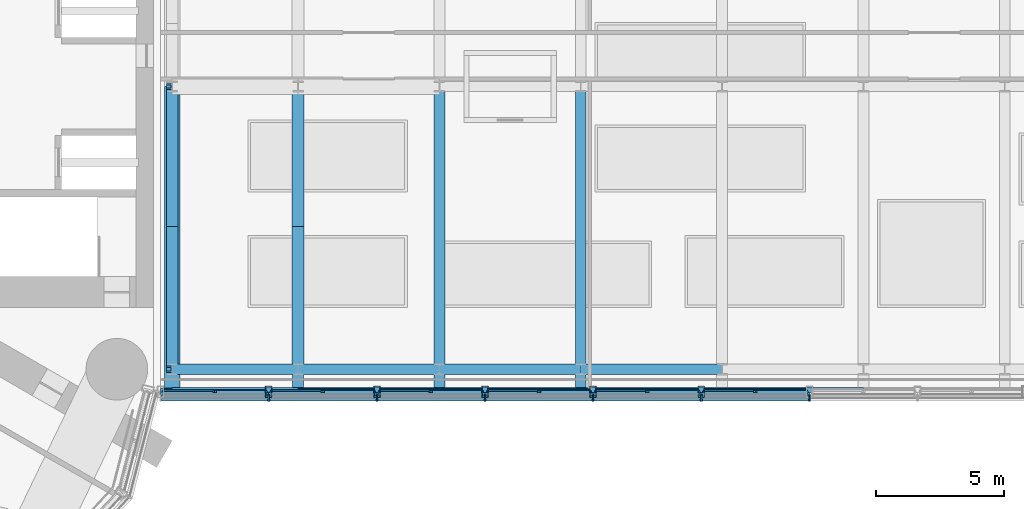
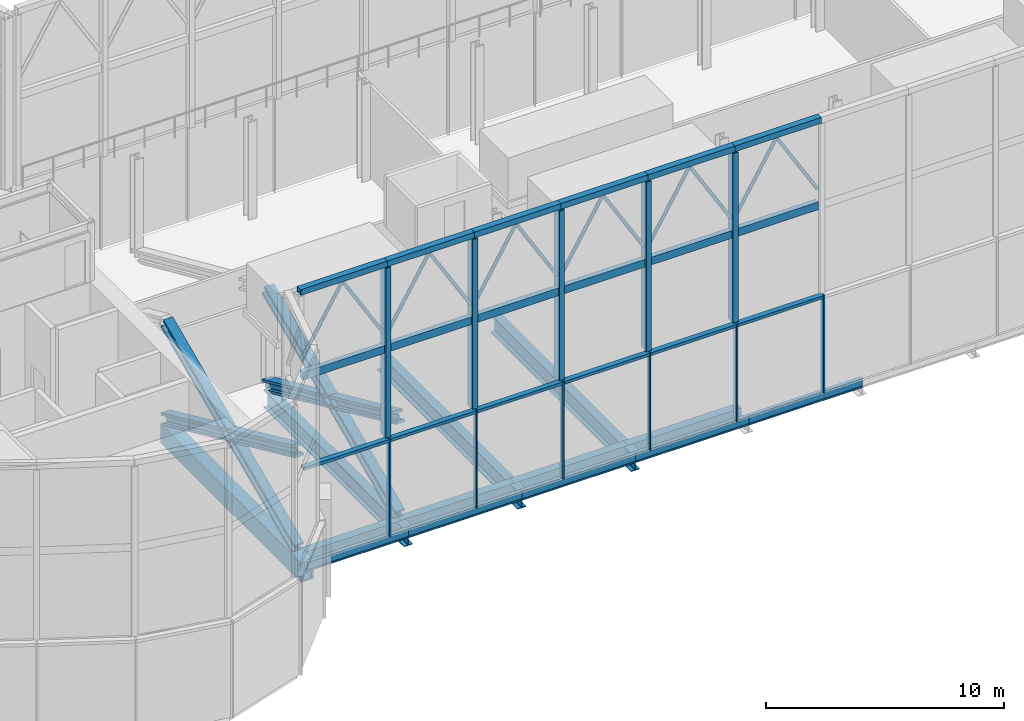
# One storey, part 10 of 33: 45 members, 13 beams, 2 elements without a shape of their own.
"""IFC4 building model written with IfcOpenShell, lengths in metres."""

from ifc_helpers import new_model, si_unit, direction, frame, origin, origin_2d, place, context, subcontext, project, spatial, rectangle, hollow_rectangle, hollow_circle, i_section, extrude, material, material_profile, profile_set, type_object, element, aggregate, save


model = new_model("IFC4")

# Units and contexts
model_context = context("Model", 3, precision=1e-05, world=origin(), true_north=direction((0.0, 1.0)))
body_context = subcontext(model_context, "Body", "Model", "MODEL_VIEW")
ifc_project = project(units=[si_unit("LENGTHUNIT", "METRE"), si_unit("AREAUNIT", "SQUARE_METRE"), si_unit("VOLUMEUNIT", "CUBIC_METRE"), si_unit("PLANEANGLEUNIT", "RADIAN"), si_unit("MASSUNIT", "GRAM", prefix="KILO")], contexts=[model_context])

# Site, building, storey
site_placement = place(None, origin())
site = spatial("IfcSite", under=ifc_project, at=site_placement, CompositionType="ELEMENT")
building_placement = place(site_placement, origin())
building = spatial("IfcBuilding", under=site, at=building_placement, Name="Lancet Gate Hotel", CompositionType="ELEMENT")
storey_placement = place(building_placement, frame((0.0, 0.0, 268.300048828125)))
storey = spatial("IfcBuildingStorey", under=building, at=storey_placement, Name="L70", CompositionType="ELEMENT", Elevation=268.300048828125)

# Curtain wall, members
ifc_material_1 = material(Name="Aluminium curtain wall", Category="aluminium")
curtain_wall_type_1 = type_object("IfcCurtainWallType", Name="Lantern crown glazing", PredefinedType="USERDEFINED", material=ifc_material_1)
curtain_wall_1_placement = place(storey_placement, origin())
curtain_wall_1 = element("IfcCurtainWall", 1, at=curtain_wall_1_placement, inside=storey, type_object=curtain_wall_type_1, Name="Bridge block L70 curtain wall S", ObjectType="LANTERN GLAZING", PredefinedType="USERDEFINED")
ifc_material_2 = material(Name="Aluminium mullion", Category="aluminium")
ifc_material_profile_1 = material_profile(ifc_material_2, rectangle(XDim=0.06494140625, YDim=0.25, at=origin_2d()), Name="MULLION 65x250")
ifc_profile_set_1 = profile_set([ifc_material_profile_1], Name="Aluminium mullion")
member_type_1 = type_object("IfcMemberType", Name="Aluminium mullion 65x250", PredefinedType="MULLION", material=ifc_profile_set_1)
member_1_placement = place(storey_placement, frame((-23.142333984375, -12.1201171875, 0.0), z_axis=(0.0, 0.0, 1.0), x_axis=(1.0, 0.0, 0.0)))
member_1 = element("IfcMember", 2, at=member_1_placement, type_object=member_type_1, Name="Bridge block L70 curtain wall S mullion 2", PredefinedType="MULLION", context=body_context, shape_type="SweptSolid", body=[
    extrude(rectangle(XDim=0.06494140625, YDim=0.25, at=origin_2d()), origin(), (0.0, 0.0, 1.0), 5.0),
])
member_2_placement = place(storey_placement, frame((-18.9345703125, -12.1201171875, 0.0), z_axis=(0.0, 0.0, 1.0), x_axis=(1.0, 0.0, 0.0)))
member_2 = element("IfcMember", 3, at=member_2_placement, type_object=member_type_1, Name="Bridge block L70 curtain wall S mullion 3", PredefinedType="MULLION", context=body_context, shape_type="SweptSolid", body=[
    extrude(rectangle(XDim=0.06494140625, YDim=0.25, at=origin_2d()), origin(), (0.0, 0.0, 1.0), 5.0),
])
member_3_placement = place(storey_placement, frame((-14.726806640625, -12.1201171875, 0.0), z_axis=(0.0, 0.0, 1.0), x_axis=(1.0, 0.0, 0.0)))
member_3 = element("IfcMember", 4, at=member_3_placement, type_object=member_type_1, Name="Bridge block L70 curtain wall S mullion 4", PredefinedType="MULLION", context=body_context, shape_type="SweptSolid", body=[
    extrude(rectangle(XDim=0.06494140625, YDim=0.25, at=origin_2d()), origin(), (0.0, 0.0, 1.0), 5.0),
])
member_4_placement = place(storey_placement, frame((-10.519287109375, -12.1201171875, 0.0), z_axis=(0.0, 0.0, 1.0), x_axis=(1.0, 0.0, 0.0)))
member_4 = element("IfcMember", 5, at=member_4_placement, type_object=member_type_1, Name="Bridge block L70 curtain wall S mullion 5", PredefinedType="MULLION", context=body_context, shape_type="SweptSolid", body=[
    extrude(rectangle(XDim=0.06494140625, YDim=0.25, at=origin_2d()), origin(), (0.0, 0.0, 1.0), 5.0),
])
member_5_placement = place(storey_placement, frame((-6.3115234375, -12.1201171875, 0.0), z_axis=(0.0, 0.0, 1.0), x_axis=(1.0, 0.0, 0.0)))
member_5 = element("IfcMember", 6, at=member_5_placement, type_object=member_type_1, Name="Bridge block L70 curtain wall S mullion 6", PredefinedType="MULLION", context=body_context, shape_type="SweptSolid", body=[
    extrude(rectangle(XDim=0.06494140625, YDim=0.25, at=origin_2d()), origin(), (0.0, 0.0, 1.0), 5.0),
])
member_6_placement = place(storey_placement, frame((-2.103759765625, -12.1201171875, 0.0), z_axis=(0.0, 0.0, 1.0), x_axis=(1.0, 0.0, 0.0)))
member_6 = element("IfcMember", 7, at=member_6_placement, type_object=member_type_1, Name="Bridge block L70 curtain wall S mullion 7", PredefinedType="MULLION", context=body_context, shape_type="SweptSolid", body=[
    extrude(rectangle(XDim=0.06494140625, YDim=0.25, at=origin_2d()), origin(), (0.0, 0.0, 1.0), 5.0),
])
ifc_material_3 = material(Name="Aluminium transom", Category="aluminium")
ifc_material_profile_2 = material_profile(ifc_material_3, rectangle(XDim=0.25, YDim=0.14990234375, at=origin_2d()), Name="TRANSOM 250x150")
ifc_profile_set_2 = profile_set([ifc_material_profile_2], Name="Aluminium transom")
member_type_2 = type_object("IfcMemberType", Name="Aluminium transom 250x150", PredefinedType="USERDEFINED", material=ifc_profile_set_2)
member_7_placement = place(storey_placement, frame((-27.3173828125, -12.1201171875, 4.925048828125), z_axis=(1.0, 0.0, 0.0), x_axis=(0.0, 1.0, 0.0)))
member_7 = element("IfcMember", 8, at=member_7_placement, type_object=member_type_2, Name="Bridge block L70 curtain wall S transom 1", ObjectType="TRANSOM", PredefinedType="USERDEFINED", context=body_context, shape_type="SweptSolid", body=[
    extrude(rectangle(XDim=0.25, YDim=0.14990234375, at=origin_2d()), origin(), (0.0, 0.0, 1.0), 4.142578125),
])
member_8_placement = place(storey_placement, frame((-23.10986328125, -12.1201171875, 4.925048828125), z_axis=(1.0, 0.0, 0.0), x_axis=(0.0, 1.0, 0.0)))
member_8 = element("IfcMember", 9, at=member_8_placement, type_object=member_type_2, Name="Bridge block L70 curtain wall S transom 2", ObjectType="TRANSOM", PredefinedType="USERDEFINED", context=body_context, shape_type="SweptSolid", body=[
    extrude(rectangle(XDim=0.25, YDim=0.14990234375, at=origin_2d()), origin(), (0.0, 0.0, 1.0), 4.142822265625),
])
member_9_placement = place(storey_placement, frame((-18.902099609375, -12.1201171875, 4.925048828125), z_axis=(1.0, 0.0, 0.0), x_axis=(0.0, 1.0, 0.0)))
member_9 = element("IfcMember", 10, at=member_9_placement, type_object=member_type_2, Name="Bridge block L70 curtain wall S transom 3", ObjectType="TRANSOM", PredefinedType="USERDEFINED", context=body_context, shape_type="SweptSolid", body=[
    extrude(rectangle(XDim=0.25, YDim=0.14990234375, at=origin_2d()), origin(), (0.0, 0.0, 1.0), 4.142578125),
])
member_10_placement = place(storey_placement, frame((-14.6943359375, -12.1201171875, 4.925048828125), z_axis=(1.0, 0.0, 0.0), x_axis=(0.0, 1.0, 0.0)))
member_10 = element("IfcMember", 11, at=member_10_placement, type_object=member_type_2, Name="Bridge block L70 curtain wall S transom 4", ObjectType="TRANSOM", PredefinedType="USERDEFINED", context=body_context, shape_type="SweptSolid", body=[
    extrude(rectangle(XDim=0.25, YDim=0.14990234375, at=origin_2d()), origin(), (0.0, 0.0, 1.0), 4.142578125),
])
member_11_placement = place(storey_placement, frame((-10.48681640625, -12.1201171875, 4.925048828125), z_axis=(1.0, 0.0, 0.0), x_axis=(0.0, 1.0, 0.0)))
member_11 = element("IfcMember", 12, at=member_11_placement, type_object=member_type_2, Name="Bridge block L70 curtain wall S transom 5", ObjectType="TRANSOM", PredefinedType="USERDEFINED", context=body_context, shape_type="SweptSolid", body=[
    extrude(rectangle(XDim=0.25, YDim=0.14990234375, at=origin_2d()), origin(), (0.0, 0.0, 1.0), 4.142822265625),
])
member_12_placement = place(storey_placement, frame((-6.279052734375, -12.1201171875, 4.925048828125), z_axis=(1.0, 0.0, 0.0), x_axis=(0.0, 1.0, 0.0)))
member_12 = element("IfcMember", 13, at=member_12_placement, type_object=member_type_2, Name="Bridge block L70 curtain wall S transom 6", ObjectType="TRANSOM", PredefinedType="USERDEFINED", context=body_context, shape_type="SweptSolid", body=[
    extrude(rectangle(XDim=0.25, YDim=0.14990234375, at=origin_2d()), origin(), (0.0, 0.0, 1.0), 4.142822265625),
])
aggregate(curtain_wall_1, [member_1, member_2, member_3, member_4, member_5, member_6, member_7, member_8, member_9, member_10, member_11, member_12])

# Members
ifc_material_4 = material(Name="Steel S460", Category="steel")
ifc_material_profile_3 = material_profile(ifc_material_4, i_section(OverallWidth=0.4541015625, OverallDepth=0.569091796875, WebThickness=0.077880859375, FlangeThickness=0.125, FilletRadius=0.02001953125, at=origin_2d()), Name="HD 400x1086")
ifc_profile_set_3 = profile_set([ifc_material_profile_3], Name="Steel S460")
member_type_3 = type_object("IfcMemberType", Name="Block brace HD 400x1086", PredefinedType="BRACE", material=ifc_profile_set_3)
member_13_placement = place(storey_placement, frame((-26.89990234375, -11.0, 0.0), z_axis=(0.0, 0.913471794333, 0.406902053273), x_axis=(-1.0, 0.0, 0.0)))
element("IfcMember", 14, at=member_13_placement, inside=storey, type_object=member_type_3, Name="Block brace WY11 L70", PredefinedType="BRACE", context=body_context, shape_type="SweptSolid", body=[
    extrude(i_section(OverallWidth=0.4541015625, OverallDepth=0.569091796875, WebThickness=0.077880859375, FlangeThickness=0.125, FilletRadius=0.02001953125, at=origin_2d()), origin(), (0.0, 0.0, 1.0), 12.0419921875),
])
member_14_placement = place(storey_placement, frame((-26.89990234375, 0.0, 0.0), z_axis=(0.0, -0.910366477463, 0.413802944301), x_axis=(1.0, 0.0, 0.0)))
element("IfcMember", 15, at=member_14_placement, inside=storey, type_object=member_type_3, Name="Block brace WY12 L70", PredefinedType="BRACE", context=body_context, shape_type="SweptSolid", body=[
    extrude(i_section(OverallWidth=0.4541015625, OverallDepth=0.569091796875, WebThickness=0.077880859375, FlangeThickness=0.125, FilletRadius=0.02001953125, at=origin_2d()), origin(), (0.0, 0.0, 1.0), 12.0830078125),
])
member_15_placement = place(storey_placement, frame((-22.0, -11.0, 0.0), z_axis=(0.0, 0.913471794333, 0.406902053273), x_axis=(-1.0, 0.0, 0.0)))
element("IfcMember", 16, at=member_15_placement, inside=storey, type_object=member_type_3, Name="Block brace WI11 L70", PredefinedType="BRACE", context=body_context, shape_type="SweptSolid", body=[
    extrude(i_section(OverallWidth=0.4541015625, OverallDepth=0.569091796875, WebThickness=0.077880859375, FlangeThickness=0.125, FilletRadius=0.02001953125, at=origin_2d()), origin(), (0.0, 0.0, 1.0), 12.0419921875),
])
member_16_placement = place(storey_placement, frame((-22.0, 0.0, 0.0), z_axis=(0.0, -0.910366477463, 0.413802944301), x_axis=(1.0, 0.0, 0.0)))
element("IfcMember", 17, at=member_16_placement, inside=storey, type_object=member_type_3, Name="Block brace WI12 L70", PredefinedType="BRACE", context=body_context, shape_type="SweptSolid", body=[
    extrude(i_section(OverallWidth=0.4541015625, OverallDepth=0.569091796875, WebThickness=0.077880859375, FlangeThickness=0.125, FilletRadius=0.02001953125, at=origin_2d()), origin(), (0.0, 0.0, 1.0), 12.0830078125),
])

# Beams
ifc_material_5 = material(Name="Steel S355", Category="steel")
ifc_material_profile_4 = material_profile(ifc_material_5, i_section(OverallWidth=0.19140625, OverallDepth=0.4599609375, WebThickness=0.010009765625, FlangeThickness=0.01611328125, FilletRadius=0.01025390625, at=origin_2d()), Name="UKB 457x191x82")
ifc_profile_set_4 = profile_set([ifc_material_profile_4], Name="Steel S355")
beam_type_1 = type_object("IfcBeamType", Name="Block edge beam UKB 457x191x82", PredefinedType="SPANDREL", material=ifc_profile_set_4)
beam_1_placement = place(storey_placement, frame((-26.89990234375, -11.800048828125, -0.429931640625), z_axis=(1.0, 0.0, 0.0), x_axis=(0.0, 1.0, 0.0)))
element("IfcBeam", 18, at=beam_1_placement, inside=storey, type_object=beam_type_1, Name="Block edge beam S 0-1 L70", PredefinedType="SPANDREL", context=body_context, shape_type="SweptSolid", body=[
    extrude(i_section(OverallWidth=0.19140625, OverallDepth=0.4599609375, WebThickness=0.010009765625, FlangeThickness=0.01611328125, FilletRadius=0.01025390625, at=origin_2d()), origin(), (0.0, 0.0, 1.0), 4.89990234375),
])
for number, where, z_axis, x_axis, name in (
    (19, (-22.0, -11.800048828125, -0.429931640625), (1.0, 0.0, 0.0), (0.0, 1.0, 0.0), "Block edge beam S 1-2 L70"),
    (20, (-16.5, -11.800048828125, -0.429931640625), (1.0, 0.0, 0.0), (0.0, 1.0, 0.0), "Block edge beam S 2-3 L70"),
    (21, (-11.0, -11.800048828125, -0.429931640625), (1.0, 0.0, 0.0), (0.0, 1.0, 0.0), "Block edge beam S 3-4 L70"),
    (22, (-5.5, -11.800048828125, -0.429931640625), (1.0, 0.0, 0.0), (0.0, 1.0, 0.0), "Block edge beam S 4-5 L70"),
):
    element("IfcBeam", number, at=place(storey_placement, frame(where, z_axis=z_axis, x_axis=x_axis)), inside=storey, type_object=beam_type_1, Name=name, PredefinedType="SPANDREL", context=body_context, shape_type="SweptSolid", body=[
        extrude(i_section(OverallWidth=0.19140625, OverallDepth=0.4599609375, WebThickness=0.010009765625, FlangeThickness=0.01611328125, FilletRadius=0.01025390625, at=origin_2d()), origin(), (0.0, 0.0, 1.0), 5.5),
    ])
ifc_material_6 = material(Name="Steel S460QL", Category="steel")
ifc_material_profile_5 = material_profile(ifc_material_6, hollow_rectangle(XDim=0.60009765625, YDim=1.0, WallThickness=0.10009765625, at=origin_2d()), Name="BOX 1000x600x100")
ifc_profile_set_5 = profile_set([ifc_material_profile_5], Name="Steel S460QL")
beam_type_2 = type_object("IfcBeamType", Name="Block end beam BOX 1000x600x100", PredefinedType="BEAM", material=ifc_profile_set_5)
beam_2_placement = place(storey_placement, frame((-26.89990234375, -11.800048828125, -0.699951171875), z_axis=(0.0, 1.0, 0.0), x_axis=(-1.0, 0.0, 0.0)))
element("IfcBeam", 23, at=beam_2_placement, inside=storey, type_object=beam_type_2, Name="Block beam x0 S L70", PredefinedType="BEAM", context=body_context, shape_type="SweptSolid", body=[
    extrude(hollow_rectangle(XDim=0.60009765625, YDim=1.0, WallThickness=0.10009765625, at=origin_2d()), origin(), (0.0, 0.0, 1.0), 11.800048828125),
])
ifc_material_7 = material(Name="Steel S355", Category="steel")
ifc_material_profile_6 = material_profile(ifc_material_7, i_section(OverallWidth=0.42041015625, OverallDepth=0.9208984375, WebThickness=0.021484375, FlangeThickness=0.03662109375, FilletRadius=0.024169921875, at=origin_2d()), Name="UKB 914x419x388")
ifc_profile_set_6 = profile_set([ifc_material_profile_6], Name="Steel S355")
beam_type_3 = type_object("IfcBeamType", Name="Block plant floor beam UKB 914x419x388", PredefinedType="JOIST", material=ifc_profile_set_6)
for number, where, z_axis, x_axis, name in (
    (24, (-22.0, -11.800048828125, -0.66064453125), (0.0, 1.0, 0.0), (-1.0, 0.0, 0.0), "Block beam x1 S L70"),
    (25, (-16.5, -11.800048828125, -0.66064453125), (0.0, 1.0, 0.0), (-1.0, 0.0, 0.0), "Block beam x2 S L70"),
    (26, (-11.0, -11.800048828125, -0.66064453125), (0.0, 1.0, 0.0), (-1.0, 0.0, 0.0), "Block beam x3 S L70"),
):
    element("IfcBeam", number, at=place(storey_placement, frame(where, z_axis=z_axis, x_axis=x_axis)), inside=storey, type_object=beam_type_3, Name=name, PredefinedType="JOIST", context=body_context, shape_type="SweptSolid", body=[
        extrude(i_section(OverallWidth=0.42041015625, OverallDepth=0.9208984375, WebThickness=0.021484375, FlangeThickness=0.03662109375, FilletRadius=0.024169921875, at=origin_2d()), origin(), (0.0, 0.0, 1.0), 11.800048828125),
    ])
ifc_material_8 = material(Name="Steel S355", Category="steel")
ifc_material_profile_7 = material_profile(ifc_material_8, hollow_rectangle(XDim=0.39990234375, YDim=0.89990234375, WallThickness=0.0400390625, at=origin_2d()), Name="BOX 900x400x40")
ifc_profile_set_7 = profile_set([ifc_material_profile_7], Name="Steel S355")
beam_type_4 = type_object("IfcBeamType", Name="Block primary beam BOX 900x400x40", PredefinedType="BEAM", material=ifc_profile_set_7)
beam_3_placement = place(storey_placement, frame((-26.89990234375, -11.0, -0.650146484375), z_axis=(1.0, 0.0, 0.0), x_axis=(0.0, 1.0, 0.0)))
element("IfcBeam", 27, at=beam_3_placement, inside=storey, type_object=beam_type_4, Name="Block primary beam S 1 L70", PredefinedType="BEAM", context=body_context, shape_type="SweptSolid", body=[
    extrude(hollow_rectangle(XDim=0.39990234375, YDim=0.89990234375, WallThickness=0.0400390625, at=origin_2d()), origin(), (0.0, 0.0, 1.0), 4.89990234375),
])
for number, where, z_axis, x_axis, name in (
    (28, (-22.0, -11.0, -0.650146484375), (1.0, 0.0, 0.0), (0.0, 1.0, 0.0), "Block primary beam S 2 L70"),
    (29, (-16.5, -11.0, -0.650146484375), (1.0, 0.0, 0.0), (0.0, 1.0, 0.0), "Block primary beam S 3 L70"),
    (30, (-11.0, -11.0, -0.650146484375), (1.0, 0.0, 0.0), (0.0, 1.0, 0.0), "Block primary beam S 4 L70"),
):
    element("IfcBeam", number, at=place(storey_placement, frame(where, z_axis=z_axis, x_axis=x_axis)), inside=storey, type_object=beam_type_4, Name=name, PredefinedType="BEAM", context=body_context, shape_type="SweptSolid", body=[
        extrude(hollow_rectangle(XDim=0.39990234375, YDim=0.89990234375, WallThickness=0.0400390625, at=origin_2d()), origin(), (0.0, 0.0, 1.0), 5.5),
    ])

# Curtain wall, members
ifc_material_9 = material(Name="Steel framed lantern screen", Category="steel")
curtain_wall_type_2 = type_object("IfcCurtainWallType", Name="Lantern screen", PredefinedType="USERDEFINED", material=ifc_material_9)
curtain_wall_2_placement = place(storey_placement, origin())
curtain_wall_2 = element("IfcCurtainWall", 31, at=curtain_wall_2_placement, inside=storey, type_object=curtain_wall_type_2, Name="Bridge block lantern screen S", ObjectType="LANTERN SCREEN", PredefinedType="USERDEFINED")
ifc_material_10 = material(Name="Steel S355", Category="steel")
ifc_material_profile_8 = material_profile(ifc_material_10, hollow_rectangle(XDim=0.300048828125, YDim=0.300048828125, WallThickness=0.012451171875, at=origin_2d()), Name="RHS 300x300x12.5")
ifc_profile_set_8 = profile_set([ifc_material_profile_8], Name="Steel S355")
member_type_4 = type_object("IfcMemberType", Name="Lantern cap beam RHS 300x300x12.5", PredefinedType="USERDEFINED", material=ifc_profile_set_8)
member_17_placement = place(storey_placement, frame((-27.35009765625, -11.8798828125, 13.849853515625), z_axis=(1.0, 0.0, 0.0), x_axis=(0.0, 1.0, 0.0)))
member_17 = element("IfcMember", 32, at=member_17_placement, type_object=member_type_4, Name="Bridge block lantern screen S cap 1", ObjectType="LANTERN FRAME", PredefinedType="USERDEFINED", context=body_context, shape_type="SweptSolid", body=[
    extrude(hollow_rectangle(XDim=0.300048828125, YDim=0.300048828125, WallThickness=0.012451171875, at=origin_2d()), origin(), (0.0, 0.0, 1.0), 4.207763671875),
])
member_18_placement = place(storey_placement, frame((-23.142333984375, -11.8798828125, 13.849853515625), z_axis=(1.0, 0.0, 0.0), x_axis=(0.0, 1.0, 0.0)))
member_18 = element("IfcMember", 33, at=member_18_placement, type_object=member_type_4, Name="Bridge block lantern screen S cap 2", ObjectType="LANTERN FRAME", PredefinedType="USERDEFINED", context=body_context, shape_type="SweptSolid", body=[
    extrude(hollow_rectangle(XDim=0.300048828125, YDim=0.300048828125, WallThickness=0.012451171875, at=origin_2d()), origin(), (0.0, 0.0, 1.0), 4.207763671875),
])
member_19_placement = place(storey_placement, frame((-18.9345703125, -11.8798828125, 13.849853515625), z_axis=(1.0, 0.0, 0.0), x_axis=(0.0, 1.0, 0.0)))
member_19 = element("IfcMember", 34, at=member_19_placement, type_object=member_type_4, Name="Bridge block lantern screen S cap 3", ObjectType="LANTERN FRAME", PredefinedType="USERDEFINED", context=body_context, shape_type="SweptSolid", body=[
    extrude(hollow_rectangle(XDim=0.300048828125, YDim=0.300048828125, WallThickness=0.012451171875, at=origin_2d()), origin(), (0.0, 0.0, 1.0), 4.207763671875),
])
member_20_placement = place(storey_placement, frame((-14.726806640625, -11.8798828125, 13.849853515625), z_axis=(1.0, 0.0, 0.0), x_axis=(0.0, 1.0, 0.0)))
member_20 = element("IfcMember", 35, at=member_20_placement, type_object=member_type_4, Name="Bridge block lantern screen S cap 4", ObjectType="LANTERN FRAME", PredefinedType="USERDEFINED", context=body_context, shape_type="SweptSolid", body=[
    extrude(hollow_rectangle(XDim=0.300048828125, YDim=0.300048828125, WallThickness=0.012451171875, at=origin_2d()), origin(), (0.0, 0.0, 1.0), 4.20751953125),
])
member_21_placement = place(storey_placement, frame((-10.519287109375, -11.8798828125, 13.849853515625), z_axis=(1.0, 0.0, 0.0), x_axis=(0.0, 1.0, 0.0)))
member_21 = element("IfcMember", 36, at=member_21_placement, type_object=member_type_4, Name="Bridge block lantern screen S cap 5", ObjectType="LANTERN FRAME", PredefinedType="USERDEFINED", context=body_context, shape_type="SweptSolid", body=[
    extrude(hollow_rectangle(XDim=0.300048828125, YDim=0.300048828125, WallThickness=0.012451171875, at=origin_2d()), origin(), (0.0, 0.0, 1.0), 4.207763671875),
])
member_22_placement = place(storey_placement, frame((-6.3115234375, -11.8798828125, 13.849853515625), z_axis=(1.0, 0.0, 0.0), x_axis=(0.0, 1.0, 0.0)))
member_22 = element("IfcMember", 37, at=member_22_placement, type_object=member_type_4, Name="Bridge block lantern screen S cap 6", ObjectType="LANTERN FRAME", PredefinedType="USERDEFINED", context=body_context, shape_type="SweptSolid", body=[
    extrude(hollow_rectangle(XDim=0.300048828125, YDim=0.300048828125, WallThickness=0.012451171875, at=origin_2d()), origin(), (0.0, 0.0, 1.0), 4.207763671875),
])
ifc_material_11 = material(Name="Steel S355", Category="steel")
ifc_material_profile_9 = material_profile(ifc_material_11, hollow_rectangle(XDim=0.25, YDim=0.449951171875, WallThickness=0.01611328125, at=origin_2d()), Name="RHS 450x250x16")
ifc_profile_set_9 = profile_set([ifc_material_profile_9], Name="Steel S355")
member_type_5 = type_object("IfcMemberType", Name="Lantern frame post RHS 450x250x16", PredefinedType="USERDEFINED", material=ifc_profile_set_9)
member_23_placement = place(storey_placement, frame((-23.142333984375, -11.8798828125, 5.0), z_axis=(0.0, 0.0, 1.0), x_axis=(1.0, 0.0, 0.0)))
member_23 = element("IfcMember", 38, at=member_23_placement, type_object=member_type_5, Name="Bridge block lantern screen S frame post 2", ObjectType="LANTERN FRAME", PredefinedType="USERDEFINED", context=body_context, shape_type="SweptSolid", body=[
    extrude(hollow_rectangle(XDim=0.25, YDim=0.449951171875, WallThickness=0.01611328125, at=origin_2d()), origin(), (0.0, 0.0, 1.0), 8.699951171875),
])
member_24_placement = place(storey_placement, frame((-18.9345703125, -11.8798828125, 5.0), z_axis=(0.0, 0.0, 1.0), x_axis=(1.0, 0.0, 0.0)))
member_24 = element("IfcMember", 39, at=member_24_placement, type_object=member_type_5, Name="Bridge block lantern screen S frame post 3", ObjectType="LANTERN FRAME", PredefinedType="USERDEFINED", context=body_context, shape_type="SweptSolid", body=[
    extrude(hollow_rectangle(XDim=0.25, YDim=0.449951171875, WallThickness=0.01611328125, at=origin_2d()), origin(), (0.0, 0.0, 1.0), 8.699951171875),
])
member_25_placement = place(storey_placement, frame((-14.726806640625, -11.8798828125, 5.0), z_axis=(0.0, 0.0, 1.0), x_axis=(1.0, 0.0, 0.0)))
member_25 = element("IfcMember", 40, at=member_25_placement, type_object=member_type_5, Name="Bridge block lantern screen S frame post 4", ObjectType="LANTERN FRAME", PredefinedType="USERDEFINED", context=body_context, shape_type="SweptSolid", body=[
    extrude(hollow_rectangle(XDim=0.25, YDim=0.449951171875, WallThickness=0.01611328125, at=origin_2d()), origin(), (0.0, 0.0, 1.0), 8.699951171875),
])
member_26_placement = place(storey_placement, frame((-10.519287109375, -11.8798828125, 5.0), z_axis=(0.0, 0.0, 1.0), x_axis=(1.0, 0.0, 0.0)))
member_26 = element("IfcMember", 41, at=member_26_placement, type_object=member_type_5, Name="Bridge block lantern screen S frame post 5", ObjectType="LANTERN FRAME", PredefinedType="USERDEFINED", context=body_context, shape_type="SweptSolid", body=[
    extrude(hollow_rectangle(XDim=0.25, YDim=0.449951171875, WallThickness=0.01611328125, at=origin_2d()), origin(), (0.0, 0.0, 1.0), 8.699951171875),
])
member_27_placement = place(storey_placement, frame((-6.3115234375, -11.8798828125, 5.0), z_axis=(0.0, 0.0, 1.0), x_axis=(1.0, 0.0, 0.0)))
member_27 = element("IfcMember", 42, at=member_27_placement, type_object=member_type_5, Name="Bridge block lantern screen S frame post 6", ObjectType="LANTERN FRAME", PredefinedType="USERDEFINED", context=body_context, shape_type="SweptSolid", body=[
    extrude(hollow_rectangle(XDim=0.25, YDim=0.449951171875, WallThickness=0.01611328125, at=origin_2d()), origin(), (0.0, 0.0, 1.0), 8.699951171875),
])
ifc_material_12 = material(Name="Steel S355", Category="steel")
ifc_material_profile_10 = material_profile(ifc_material_12, hollow_circle(Radius=0.084228515625, WallThickness=0.008056640625, at=origin_2d()), Name="CHS 168.3x8.0")
ifc_profile_set_10 = profile_set([ifc_material_profile_10], Name="Steel S355")
member_type_6 = type_object("IfcMemberType", Name="Lantern lancet head CHS 168.3x8", PredefinedType="USERDEFINED", material=ifc_profile_set_10)
member_28_placement = place(storey_placement, frame((-27.22509765625, -11.8798828125, 10.300048828125), z_axis=(0.512513906449, 0.0, 0.858678924684), x_axis=(0.0, 1.0, 0.0)))
member_28 = element("IfcMember", 43, at=member_28_placement, type_object=member_type_6, Name="Bridge block lantern screen S lancet head 1A", ObjectType="LANTERN FRAME", PredefinedType="USERDEFINED", context=body_context, shape_type="SweptSolid", body=[
    extrude(hollow_circle(Radius=0.084228515625, WallThickness=0.008056640625, at=origin_2d()), origin(), (0.0, 0.0, 1.0), 3.861328125),
])
member_29_placement = place(storey_placement, frame((-23.267333984375, -11.8798828125, 10.300048828125), z_axis=(-0.512467285429, 0.0, 0.858706749342), x_axis=(0.0, -1.0, 0.0)))
member_29 = element("IfcMember", 44, at=member_29_placement, type_object=member_type_6, Name="Bridge block lantern screen S lancet head 1B", ObjectType="LANTERN FRAME", PredefinedType="USERDEFINED", context=body_context, shape_type="SweptSolid", body=[
    extrude(hollow_circle(Radius=0.084228515625, WallThickness=0.008056640625, at=origin_2d()), origin(), (0.0, 0.0, 1.0), 3.861328125),
])
member_30_placement = place(storey_placement, frame((-23.017333984375, -11.8798828125, 10.300048828125), z_axis=(0.512467285429, 0.0, 0.858706749342), x_axis=(0.0, 1.0, 0.0)))
member_30 = element("IfcMember", 45, at=member_30_placement, type_object=member_type_6, Name="Bridge block lantern screen S lancet head 2A", ObjectType="LANTERN FRAME", PredefinedType="USERDEFINED", context=body_context, shape_type="SweptSolid", body=[
    extrude(hollow_circle(Radius=0.084228515625, WallThickness=0.008056640625, at=origin_2d()), origin(), (0.0, 0.0, 1.0), 3.861328125),
])
member_31_placement = place(storey_placement, frame((-19.0595703125, -11.8798828125, 10.300048828125), z_axis=(-0.512513906449, 0.0, 0.858678924684), x_axis=(0.0, -1.0, 0.0)))
member_31 = element("IfcMember", 46, at=member_31_placement, type_object=member_type_6, Name="Bridge block lantern screen S lancet head 2B", ObjectType="LANTERN FRAME", PredefinedType="USERDEFINED", context=body_context, shape_type="SweptSolid", body=[
    extrude(hollow_circle(Radius=0.084228515625, WallThickness=0.008056640625, at=origin_2d()), origin(), (0.0, 0.0, 1.0), 3.861328125),
])
member_32_placement = place(storey_placement, frame((-18.8095703125, -11.8798828125, 10.300048828125), z_axis=(0.512467285429, 0.0, 0.858706749342), x_axis=(0.0, 1.0, 0.0)))
member_32 = element("IfcMember", 47, at=member_32_placement, type_object=member_type_6, Name="Bridge block lantern screen S lancet head 3A", ObjectType="LANTERN FRAME", PredefinedType="USERDEFINED", context=body_context, shape_type="SweptSolid", body=[
    extrude(hollow_circle(Radius=0.084228515625, WallThickness=0.008056640625, at=origin_2d()), origin(), (0.0, 0.0, 1.0), 3.861328125),
])
member_33_placement = place(storey_placement, frame((-14.851806640625, -11.8798828125, 10.300048828125), z_axis=(-0.512513906449, 0.0, 0.858678924684), x_axis=(0.0, -1.0, 0.0)))
member_33 = element("IfcMember", 48, at=member_33_placement, type_object=member_type_6, Name="Bridge block lantern screen S lancet head 3B", ObjectType="LANTERN FRAME", PredefinedType="USERDEFINED", context=body_context, shape_type="SweptSolid", body=[
    extrude(hollow_circle(Radius=0.084228515625, WallThickness=0.008056640625, at=origin_2d()), origin(), (0.0, 0.0, 1.0), 3.861328125),
])
member_34_placement = place(storey_placement, frame((-14.601806640625, -11.8798828125, 10.300048828125), z_axis=(0.512467285429, 0.0, 0.858706749342), x_axis=(0.0, 1.0, 0.0)))
member_34 = element("IfcMember", 49, at=member_34_placement, type_object=member_type_6, Name="Bridge block lantern screen S lancet head 4A", ObjectType="LANTERN FRAME", PredefinedType="USERDEFINED", context=body_context, shape_type="SweptSolid", body=[
    extrude(hollow_circle(Radius=0.084228515625, WallThickness=0.008056640625, at=origin_2d()), origin(), (0.0, 0.0, 1.0), 3.861328125),
])
member_35_placement = place(storey_placement, frame((-10.644287109375, -11.8798828125, 10.300048828125), z_axis=(-0.512467285429, 0.0, 0.858706749342), x_axis=(0.0, -1.0, 0.0)))
member_35 = element("IfcMember", 50, at=member_35_placement, type_object=member_type_6, Name="Bridge block lantern screen S lancet head 4B", ObjectType="LANTERN FRAME", PredefinedType="USERDEFINED", context=body_context, shape_type="SweptSolid", body=[
    extrude(hollow_circle(Radius=0.084228515625, WallThickness=0.008056640625, at=origin_2d()), origin(), (0.0, 0.0, 1.0), 3.861328125),
])
member_36_placement = place(storey_placement, frame((-10.394287109375, -11.8798828125, 10.300048828125), z_axis=(0.512513906449, 0.0, 0.858678924684), x_axis=(0.0, 1.0, 0.0)))
member_36 = element("IfcMember", 51, at=member_36_placement, type_object=member_type_6, Name="Bridge block lantern screen S lancet head 5A", ObjectType="LANTERN FRAME", PredefinedType="USERDEFINED", context=body_context, shape_type="SweptSolid", body=[
    extrude(hollow_circle(Radius=0.084228515625, WallThickness=0.008056640625, at=origin_2d()), origin(), (0.0, 0.0, 1.0), 3.861328125),
])
member_37_placement = place(storey_placement, frame((-6.4365234375, -11.8798828125, 10.300048828125), z_axis=(-0.512467285429, 0.0, 0.858706749342), x_axis=(0.0, -1.0, 0.0)))
member_37 = element("IfcMember", 52, at=member_37_placement, type_object=member_type_6, Name="Bridge block lantern screen S lancet head 5B", ObjectType="LANTERN FRAME", PredefinedType="USERDEFINED", context=body_context, shape_type="SweptSolid", body=[
    extrude(hollow_circle(Radius=0.084228515625, WallThickness=0.008056640625, at=origin_2d()), origin(), (0.0, 0.0, 1.0), 3.861328125),
])
member_38_placement = place(storey_placement, frame((-6.1865234375, -11.8798828125, 10.300048828125), z_axis=(0.512467285429, 0.0, 0.858706749342), x_axis=(0.0, 1.0, 0.0)))
member_38 = element("IfcMember", 53, at=member_38_placement, type_object=member_type_6, Name="Bridge block lantern screen S lancet head 6A", ObjectType="LANTERN FRAME", PredefinedType="USERDEFINED", context=body_context, shape_type="SweptSolid", body=[
    extrude(hollow_circle(Radius=0.084228515625, WallThickness=0.008056640625, at=origin_2d()), origin(), (0.0, 0.0, 1.0), 3.861328125),
])
member_39_placement = place(storey_placement, frame((-2.228759765625, -11.8798828125, 10.300048828125), z_axis=(-0.512513906449, 0.0, 0.858678924684), x_axis=(0.0, -1.0, 0.0)))
member_39 = element("IfcMember", 54, at=member_39_placement, type_object=member_type_6, Name="Bridge block lantern screen S lancet head 6B", ObjectType="LANTERN FRAME", PredefinedType="USERDEFINED", context=body_context, shape_type="SweptSolid", body=[
    extrude(hollow_circle(Radius=0.084228515625, WallThickness=0.008056640625, at=origin_2d()), origin(), (0.0, 0.0, 1.0), 3.861328125),
])
ifc_material_13 = material(Name="Steel S355", Category="steel")
ifc_material_profile_11 = material_profile(ifc_material_13, hollow_rectangle(XDim=0.25, YDim=0.39990234375, WallThickness=0.012451171875, at=origin_2d()), Name="RHS 400x250x12.5")
ifc_profile_set_11 = profile_set([ifc_material_profile_11], Name="Steel S355")
member_type_7 = type_object("IfcMemberType", Name="Lantern ring beam RHS 400x250x12.5", PredefinedType="USERDEFINED", material=ifc_profile_set_11)
member_40_placement = place(storey_placement, frame((-27.22509765625, -11.8798828125, 9.5), z_axis=(1.0, 0.0, 0.0), x_axis=(0.0, 1.0, 0.0)))
member_40 = element("IfcMember", 55, at=member_40_placement, type_object=member_type_7, Name="Bridge block lantern screen S ring 1", ObjectType="LANTERN FRAME", PredefinedType="USERDEFINED", context=body_context, shape_type="SweptSolid", body=[
    extrude(hollow_rectangle(XDim=0.25, YDim=0.39990234375, WallThickness=0.012451171875, at=origin_2d()), origin(), (0.0, 0.0, 1.0), 3.957763671875),
])
member_41_placement = place(storey_placement, frame((-23.017333984375, -11.8798828125, 9.5), z_axis=(1.0, 0.0, 0.0), x_axis=(0.0, 1.0, 0.0)))
member_41 = element("IfcMember", 56, at=member_41_placement, type_object=member_type_7, Name="Bridge block lantern screen S ring 2", ObjectType="LANTERN FRAME", PredefinedType="USERDEFINED", context=body_context, shape_type="SweptSolid", body=[
    extrude(hollow_rectangle(XDim=0.25, YDim=0.39990234375, WallThickness=0.012451171875, at=origin_2d()), origin(), (0.0, 0.0, 1.0), 3.957763671875),
])
member_42_placement = place(storey_placement, frame((-18.8095703125, -11.8798828125, 9.5), z_axis=(1.0, 0.0, 0.0), x_axis=(0.0, 1.0, 0.0)))
member_42 = element("IfcMember", 57, at=member_42_placement, type_object=member_type_7, Name="Bridge block lantern screen S ring 3", ObjectType="LANTERN FRAME", PredefinedType="USERDEFINED", context=body_context, shape_type="SweptSolid", body=[
    extrude(hollow_rectangle(XDim=0.25, YDim=0.39990234375, WallThickness=0.012451171875, at=origin_2d()), origin(), (0.0, 0.0, 1.0), 3.957763671875),
])
member_43_placement = place(storey_placement, frame((-14.601806640625, -11.8798828125, 9.5), z_axis=(1.0, 0.0, 0.0), x_axis=(0.0, 1.0, 0.0)))
member_43 = element("IfcMember", 58, at=member_43_placement, type_object=member_type_7, Name="Bridge block lantern screen S ring 4", ObjectType="LANTERN FRAME", PredefinedType="USERDEFINED", context=body_context, shape_type="SweptSolid", body=[
    extrude(hollow_rectangle(XDim=0.25, YDim=0.39990234375, WallThickness=0.012451171875, at=origin_2d()), origin(), (0.0, 0.0, 1.0), 3.95751953125),
])
member_44_placement = place(storey_placement, frame((-10.394287109375, -11.8798828125, 9.5), z_axis=(1.0, 0.0, 0.0), x_axis=(0.0, 1.0, 0.0)))
member_44 = element("IfcMember", 59, at=member_44_placement, type_object=member_type_7, Name="Bridge block lantern screen S ring 5", ObjectType="LANTERN FRAME", PredefinedType="USERDEFINED", context=body_context, shape_type="SweptSolid", body=[
    extrude(hollow_rectangle(XDim=0.25, YDim=0.39990234375, WallThickness=0.012451171875, at=origin_2d()), origin(), (0.0, 0.0, 1.0), 3.957763671875),
])
member_45_placement = place(storey_placement, frame((-6.1865234375, -11.8798828125, 9.5), z_axis=(1.0, 0.0, 0.0), x_axis=(0.0, 1.0, 0.0)))
member_45 = element("IfcMember", 60, at=member_45_placement, type_object=member_type_7, Name="Bridge block lantern screen S ring 6", ObjectType="LANTERN FRAME", PredefinedType="USERDEFINED", context=body_context, shape_type="SweptSolid", body=[
    extrude(hollow_rectangle(XDim=0.25, YDim=0.39990234375, WallThickness=0.012451171875, at=origin_2d()), origin(), (0.0, 0.0, 1.0), 3.957763671875),
])
aggregate(curtain_wall_2, [member_23, member_24, member_25, member_26, member_27, member_17, member_40, member_28, member_29, member_18, member_41, member_30, member_31, member_19, member_42, member_32, member_33, member_20, member_43, member_34, member_35, member_21, member_44, member_36, member_37, member_22, member_45, member_38, member_39])

save(model, "model.ifc")
